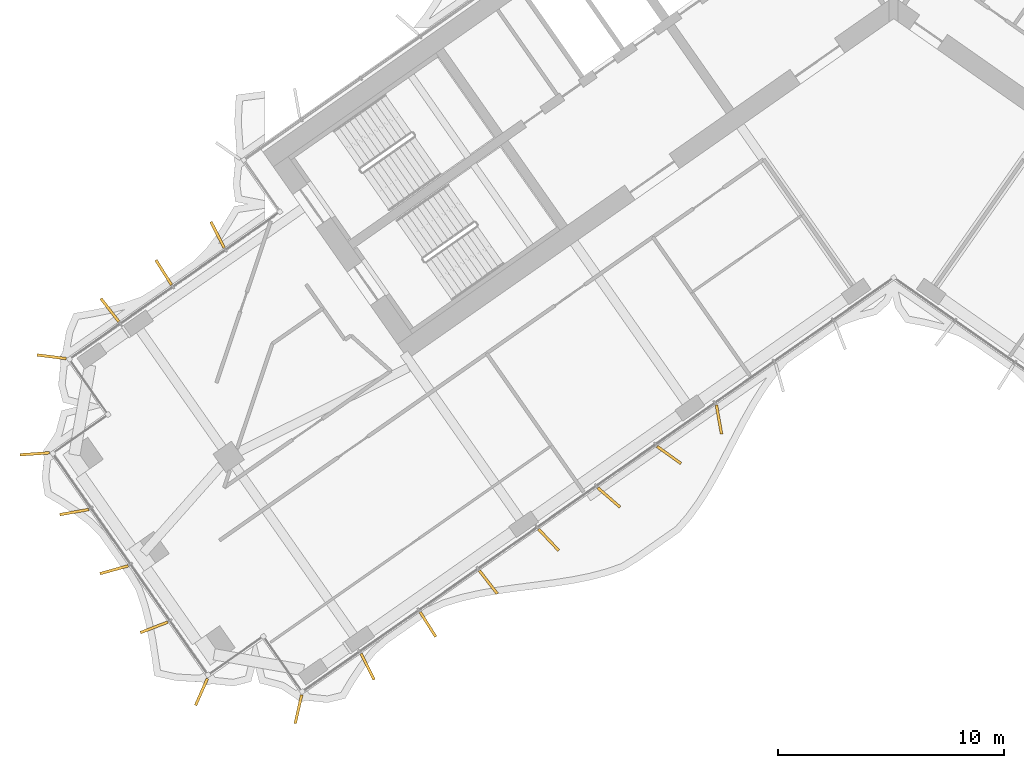
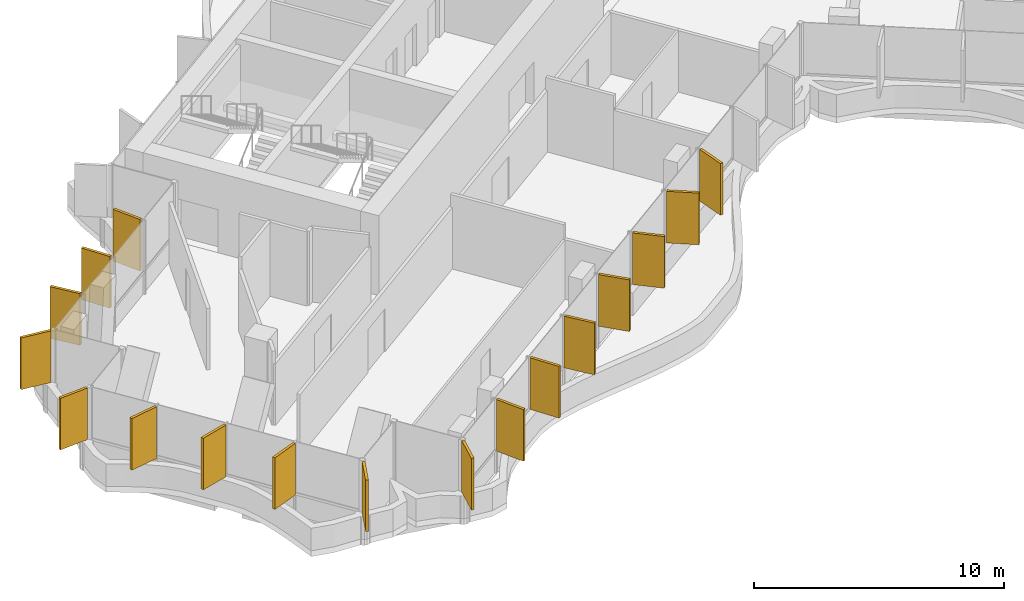
# One storey, part 19 of 23: 17 shading devices.
"""IFC4 building model written with IfcOpenShell, lengths in metres."""

import ifcopenshell
import ifcopenshell.guid

model = None  # the IFC model being written
_history = None  # IfcOwnerHistory: only IFC2X3 demands one
_inside = {}  # id of a spatial element -> (the spatial element, [elements in it])
_under = {}  # id of a project, library or spatial element -> (it, [spatial elements below it])
_declared = {}  # id of a project -> (the project, [libraries it declares])
_typed = {}  # id of a type object -> (the type object, [elements of that type])
_made_of = {}  # id of a material, layer set ... -> (it, [elements and type objects made of it])


def new_model(schema):
    """Start an empty IFC model of exactly this schema.

    Asked for "IFC4X3", IfcOpenShell would pick the latest addendum, in which some entities
    have other attributes; the version numbers below select the first issue.
    IFC2X3 requires an IfcOwnerHistory on every rooted entity: one is made here for all.
    """
    global model, _history
    if schema == "IFC4X3":
        model = ifcopenshell.file(schema_version=(4, 3, 0, 0))
    else:
        model = ifcopenshell.file(schema=schema)
    _inside.clear()
    _under.clear()
    _declared.clear()
    _typed.clear()
    _made_of.clear()
    _history = None
    if model.schema == "IFC2X3":
        org = make("IfcOrganization", Name="unknown")
        user = make(
            "IfcPersonAndOrganization",
            ThePerson=make("IfcPerson", FamilyName="unknown"),
            TheOrganization=org,
        )
        app = make(
            "IfcApplication",
            ApplicationDeveloper=org,
            Version="unknown",
            ApplicationFullName="unknown",
            ApplicationIdentifier="unknown",
        )
        _history = make(
            "IfcOwnerHistory",
            OwningUser=user,
            OwningApplication=app,
            ChangeAction="ADDED",
            CreationDate=0,
        )
    return model


def make(cls, **values):
    """One entity of the class cls with the attributes given. An attribute that is None is left unset."""
    return model.create_entity(
        cls, **{name: value for name, value in values.items() if value is not None}
    )


def rooted(cls, **values):
    """An entity with a GlobalId (a new one), such as an element, a storey or a relation."""
    return make(cls, GlobalId=ifcopenshell.guid.new(), OwnerHistory=_history, **values)


def si_unit(unit_type, name, prefix=None):
    """IfcSIUnit, for example si_unit("LENGTHUNIT", "METRE", prefix="MILLI")."""
    return make("IfcSIUnit", UnitType=unit_type, Prefix=prefix, Name=name)


def assignment(units):
    """IfcUnitAssignment: the units of a project."""
    return None if units is None else make("IfcUnitAssignment", Units=units)


def point(xyz):
    """IfcCartesianPoint."""
    return None if xyz is None else make("IfcCartesianPoint", Coordinates=xyz)


def direction(xyz):
    """IfcDirection."""
    return None if xyz is None else make("IfcDirection", DirectionRatios=xyz)


def frame(location, z_axis=None, x_axis=None):
    """IfcAxis2Placement3D, a coordinate frame: its origin and axes. An axis left out is left unset."""
    return make(
        "IfcAxis2Placement3D",
        Location=point(location),
        Axis=direction(z_axis),
        RefDirection=direction(x_axis),
    )


def frame_2d(location, x_axis=None):
    """IfcAxis2Placement2D, a coordinate frame in the plane: its origin and x axis."""
    return make(
        "IfcAxis2Placement2D", Location=point(location), RefDirection=direction(x_axis)
    )


def origin():
    """The frame at (0, 0, 0) with its axes left unset."""
    return frame((0.0, 0.0, 0.0))


def origin_2d():
    """The frame at (0, 0) in the plane with its x axis left unset."""
    return frame_2d((0.0, 0.0))


def place(relative_to, where):
    """IfcLocalPlacement: puts the frame where relative to a parent placement (None: the world)."""
    return make(
        "IfcLocalPlacement", PlacementRelTo=relative_to, RelativePlacement=where
    )


def context(
    kind, dimensions, precision=None, world=None, true_north=None, identifier=None
):
    """IfcGeometricRepresentationContext, for example the 3D "Model" context."""
    return make(
        "IfcGeometricRepresentationContext",
        ContextIdentifier=identifier,
        ContextType=kind,
        CoordinateSpaceDimension=dimensions,
        Precision=precision,
        WorldCoordinateSystem=world,
        TrueNorth=true_north,
    )


def subcontext(parent, identifier, kind, view, scale=None):
    """IfcGeometricRepresentationSubContext, for example "Body" below "Model"."""
    return make(
        "IfcGeometricRepresentationSubContext",
        ContextIdentifier=identifier,
        ContextType=kind,
        ParentContext=parent,
        TargetScale=scale,
        TargetView=view,
    )


def project(units=None, contexts=None):
    """IfcProject with its units and contexts."""
    return rooted(
        "IfcProject",
        Name="project",
        RepresentationContexts=contexts,
        UnitsInContext=assignment(units),
    )


def spatial(cls, under=None, at=None, **own):
    """A site, building, storey or space (cls), placed at a placement, below another one or the project."""
    s = rooted(cls, ObjectPlacement=at, **own)
    if under is not None:
        _under.setdefault(under.id(), (under, []))[1].append(s)
    return s


def profile(cls, at=None, kind="AREA", **sizes):
    """A parametric profile (cls). Its sizes go by their IFC names, for example OverallWidth=200.0."""
    return make(cls, ProfileType=kind, Position=at, **sizes)


def rectangle(**sizes):
    """IfcRectangleProfileDef."""
    return profile("IfcRectangleProfileDef", **sizes)


def extrude(swept, where, along, depth):
    """IfcExtrudedAreaSolid: the profile swept, set in the frame where, extruded along a direction by depth."""
    return make(
        "IfcExtrudedAreaSolid",
        SweptArea=swept,
        Position=where,
        ExtrudedDirection=direction(along),
        Depth=depth,
    )


def shape(context_of_items, identifier, shape_type, items):
    """IfcShapeRepresentation: the items that make up one representation, for example the "Body"."""
    return make(
        "IfcShapeRepresentation",
        ContextOfItems=context_of_items,
        RepresentationIdentifier=identifier,
        RepresentationType=shape_type,
        Items=items,
    )


def material(Name=None, Category=None):
    """IfcMaterial."""
    return make("IfcMaterial", Name=Name, Category=Category)


def layer(
    of_material, thickness, ventilated=None, Name=None, Category=None, Priority=None
):
    """IfcMaterialLayer: one layer of a wall or slab, of a material (None: an air gap)."""
    return make(
        "IfcMaterialLayer",
        Material=of_material,
        LayerThickness=thickness,
        IsVentilated=ventilated,
        Name=Name,
        Category=Category,
        Priority=Priority,
    )


def layer_set(layers, Name=None):
    """IfcMaterialLayerSet."""
    return make("IfcMaterialLayerSet", MaterialLayers=layers, LayerSetName=Name)


def made_of(thing, what):
    """Note that an element or type object is made of a material, layer set ...; save() writes the relation."""
    if what is not None:
        _made_of.setdefault(what.id(), (what, []))[1].append(thing)
    return thing


def type_object(cls, material=None, **own):
    """A type object (cls), such as IfcWallType, which elements share."""
    return made_of(rooted(cls, **own), material)


def element(
    cls,
    number,
    at=None,
    inside=None,
    cuts=None,
    type_object=None,
    material=None,
    context=None,
    identifier="Body",
    shape_type=None,
    held_by="IfcProductDefinitionShape",
    body=None,
    shapes=None,
    **own,
):
    """One element of the class cls, such as IfcWall. Its Tag is "e" and its number.

    at: its placement. inside: the storey or other place that contains it. cuts: it is an
    opening in that element (IfcRelVoidsElement). A single representation is given by context,
    identifier, shape_type and body (its items); several are given by shapes. held_by: the class
    of the entity that holds the representations. save() writes the other relations.
    """
    e = rooted(cls, Tag="e%d" % number, ObjectPlacement=at, **own)
    if body is not None:
        shapes = [shape(context, identifier, shape_type, body)]
    if shapes is not None:
        e.Representation = make(held_by, Representations=shapes)
    if inside is not None:
        _inside.setdefault(inside.id(), (inside, []))[1].append(e)
    if cuts is not None:
        rooted(
            "IfcRelVoidsElement", RelatingBuildingElement=cuts, RelatedOpeningElement=e
        )
    if type_object is not None:
        _typed.setdefault(type_object.id(), (type_object, []))[1].append(e)
    return made_of(e, material)


def aggregate(whole, parts):
    """IfcRelAggregates: a whole, such as a stair, and the parts it consists of."""
    return rooted("IfcRelAggregates", RelatingObject=whole, RelatedObjects=parts)


def save(model, path):
    """Write the relations noted so far, then the file.

    IfcRelAggregates (storeys below a building ...), IfcRelContainedInSpatialStructure (elements
    in a storey), IfcRelDefinesByType, IfcRelAssociatesMaterial and IfcRelDeclares: one each for
    every whole, place, type object, material and project.
    """
    for whole, parts in _under.values():
        aggregate(whole, parts)
    for where, things in _inside.values():
        rooted(
            "IfcRelContainedInSpatialStructure",
            RelatedElements=things,
            RelatingStructure=where,
        )
    for kind, things in _typed.values():
        rooted("IfcRelDefinesByType", RelatedObjects=things, RelatingType=kind)
    for what, things in _made_of.values():
        rooted("IfcRelAssociatesMaterial", RelatedObjects=things, RelatingMaterial=what)
    for by, libraries in _declared.values():
        rooted("IfcRelDeclares", RelatingContext=by, RelatedDefinitions=libraries)
    model.write(path)


model = new_model("IFC4")

# Units and contexts
model_context = context("Model", 3, precision=1e-05, world=origin(), true_north=direction((0.0, 1.0)))
body_context = subcontext(model_context, "Body", "Model", "MODEL_VIEW")
ifc_project = project(units=[si_unit("LENGTHUNIT", "METRE"), si_unit("AREAUNIT", "SQUARE_METRE"), si_unit("VOLUMEUNIT", "CUBIC_METRE"), si_unit("PLANEANGLEUNIT", "RADIAN"), si_unit("MASSUNIT", "GRAM", prefix="KILO")], contexts=[model_context])

# Site, building, storey
site_placement = place(None, origin())
site = spatial("IfcSite", under=ifc_project, at=site_placement, CompositionType="ELEMENT")
building_placement = place(site_placement, origin())
building = spatial("IfcBuilding", under=site, at=building_placement, Name="Tel Ilan Convention Tower", CompositionType="ELEMENT")
storey_placement = place(building_placement, frame((0.0, 0.0, 198.300048828125)))
storey = spatial("IfcBuildingStorey", under=building, at=storey_placement, Name="L46", CompositionType="ELEMENT", Elevation=198.300048828125)

# Shading devices
ifc_material = material(Name="Aluminium, bronze anodised", Category="aluminium")
ifc_layer = layer(ifc_material, 0.1201171875)
ifc_layer_set = layer_set([ifc_layer], Name="FIN BRONZE 1300x120")
shading_device_type = type_object("IfcShadingDeviceType", Name="FIN BRONZE 1300x120", PredefinedType="USERDEFINED", material=ifc_layer_set)
for number, where, z_axis, x_axis, name in (
    (1, (-29.98388671875, -10.7998046875, 1.099853515625), (0.0, 0.0, 1.0), (-0.448799180206, 0.893632640321, 0.0), "FIN"),
    (2, (-32.369873046875, -12.47021484375, 1.099853515625), (0.0, 0.0, 1.0), (-0.533204432798, 0.845986425922, 0.0), "FIN"),
    (3, (-34.756103515625, -14.14111328125, 1.099853515625), (0.0, 0.0, 1.0), (-0.612600545196, 0.790392669516, 0.0), "FIN"),
    (4, (-37.33837890625, -16.209228515625, 1.099853515625), (0.0, 0.0, 1.0), (-0.992066016082, 0.125718016748, 0.0), "FIN"),
    (5, (-38.090087890625, -20.51123046875, 1.099853515625), (0.0, 0.0, 1.0), (-0.997697449973, -0.067821812994, 0.0), "FIN"),
    (6, (-36.3388671875, -23.09521484375, 1.099853515625), (0.0, 0.0, 1.0), (-0.984807753012, -0.173648177667, 0.0), "FIN"),
    (7, (-34.5712890625, -25.65185546875, 1.099853515625), (0.0, 0.0, 1.0), (-0.963370878614, -0.268172612768, 0.0), "FIN"),
    (8, (-32.79736328125, -28.20703125, 1.099853515625), (0.0, 0.0, 1.0), (-0.932883704733, -0.360177724803, 0.0), "FIN"),
    (9, (-30.69580078125, -31.0712890625, 1.099853515625), (0.0, 0.0, 1.0), (-0.404964282034, -0.914332505315, 0.0), "FIN"),
    (10, (-26.396240234375, -31.836181640625, 1.099853515625), (0.0, 0.0, 1.0), (-0.221170268371, -0.975235208752, 0.0), "FIN"),
    (11, (-23.330322265625, -29.949462890625, 1.099853515625), (0.0, 0.0, 1.0), (0.448799180206, -0.893632640321, 0.0), "FIN"),
    (12, (-20.653564453125, -28.075439453125, 1.099853515625), (0.0, 0.0, 1.0), (0.533204432798, -0.845986425922, 0.0), "FIN"),
    (13, (-17.976806640625, -26.201171875, 1.099853515625), (0.0, 0.0, 1.0), (0.612600545196, -0.790392669516, 0.0), "FIN"),
    (14, (-15.300537109375, -24.32666015625, 1.099853515625), (0.0, 0.0, 1.0), (0.686241637865, -0.727373641577, 0.0), "FIN"),
    (15, (-12.62841796875, -22.44775390625, 1.099853515625), (0.0, 0.0, 1.0), (0.753435896329, -0.657521368568, 0.0), "FIN"),
    (16, (-9.9609375, -20.564697265625, 1.099853515625), (0.0, 0.0, 1.0), (0.813552070258, -0.581492071294, 0.0), "FIN"),
    (17, (-7.74853515625, -18.9931640625, 1.099853515625), (0.0, 0.0, 1.0), (0.173648177667, -0.984807753012, 0.0), "FIN"),
):
    element("IfcShadingDevice", number, at=place(storey_placement, frame(where, z_axis=z_axis, x_axis=x_axis)), inside=storey, type_object=shading_device_type, Name=name, ObjectType="FIN", PredefinedType="USERDEFINED", context=body_context, shape_type="SweptSolid", body=[
        extrude(rectangle(XDim=1.300048828125, YDim=0.1201171875, at=origin_2d()), origin(), (0.0, 0.0, 1.0), 2.52001953125),
    ])

save(model, "model.ifc")
